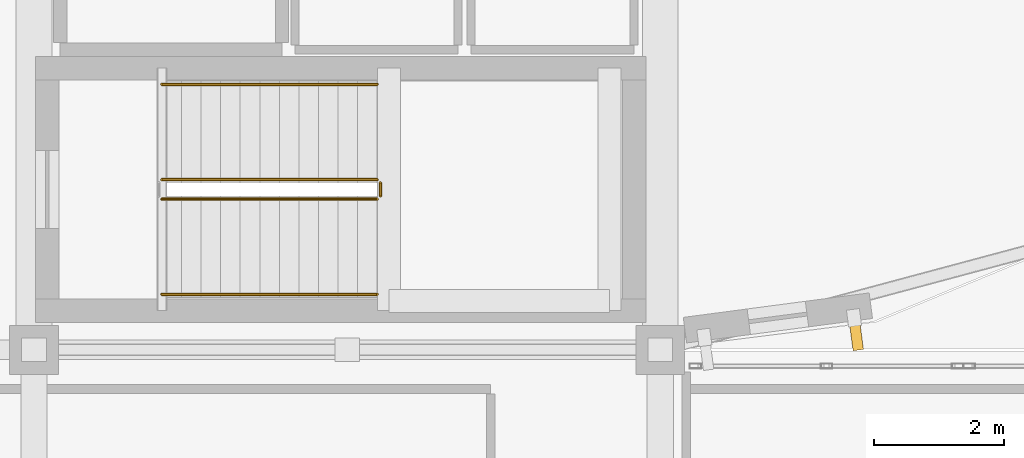
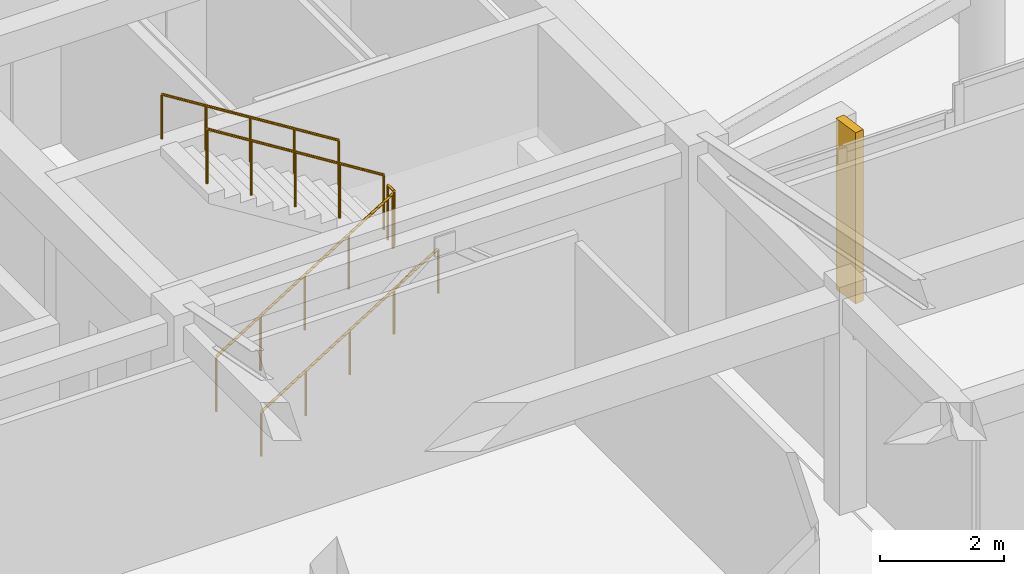
# One storey, part 88 of 91: 5 railings, 1 covering.
"""IFC4 building model written with IfcOpenShell, lengths in metres."""

from ifc_helpers import new_model, si_unit, direction, frame, origin, origin_2d, place, context, subcontext, project, spatial, rectangle, circle, extrude, material, layer, layer_set, type_object, element, save


model = new_model("IFC4")

# Units and contexts
model_context = context("Model", 3, precision=1e-05, world=origin(), true_north=direction((0.0, 1.0)))
body_context = subcontext(model_context, "Body", "Model", "MODEL_VIEW")
ifc_project = project(units=[si_unit("LENGTHUNIT", "METRE"), si_unit("AREAUNIT", "SQUARE_METRE"), si_unit("VOLUMEUNIT", "CUBIC_METRE"), si_unit("PLANEANGLEUNIT", "RADIAN"), si_unit("MASSUNIT", "GRAM", prefix="KILO")], contexts=[model_context])

# Site, building, storey
site_placement = place(None, origin())
site = spatial("IfcSite", under=ifc_project, at=site_placement, CompositionType="ELEMENT")
building_placement = place(site_placement, origin())
building = spatial("IfcBuilding", under=site, at=building_placement, Name="Tarnavel Promenade Courthouse", CompositionType="ELEMENT")
storey_placement = place(building_placement, frame((0.0, 0.0, 9.89990234375)))
storey = spatial("IfcBuildingStorey", under=building, at=storey_placement, Name="L03", CompositionType="ELEMENT", Elevation=9.89990234375)

# Railings
ifc_material_1 = material(Name="Brushed Bronze Tubular Stair Handrail")
railing_type_1 = type_object("IfcRailingType", Name="Brushed Bronze Tubular Stair Handrail (RL-HND-0900)", PredefinedType="HANDRAIL", material=ifc_material_1)
railing_1_placement = place(storey_placement, frame((94.360107421875, 80.050048828125, 0.1875)))
element("IfcRailing", 1, at=railing_1_placement, inside=storey, type_object=railing_type_1, Name="L03 ST-02 stair handrail 1", PredefinedType="HANDRAIL", context=body_context, shape_type="SweptSolid", body=[
    extrude(circle(Radius=0.02392578125, at=origin_2d()), frame((0.0, 0.0, 0.8759765625), z_axis=(0.847984204989, 0.0, 0.530021497762), x_axis=(0.0, 1.0, 0.0)), (0.0, 0.0, 1.0), 3.891357421875),
    extrude(circle(Radius=0.02099609375, at=origin_2d()), origin(), (0.0, 0.0, 1.0), 0.851806640625),
    extrude(circle(Radius=0.02099609375, at=origin_2d()), frame((0.824951171875, 0.0, 0.515625)), (0.0, 0.0, 1.0), 0.851806640625),
    extrude(circle(Radius=0.02099609375, at=origin_2d()), frame((1.64990234375, 0.0, 1.03125)), (0.0, 0.0, 1.0), 0.851806640625),
    extrude(circle(Radius=0.02099609375, at=origin_2d()), frame((2.474853515625, 0.0, 1.546875)), (0.0, 0.0, 1.0), 0.851806640625),
    extrude(circle(Radius=0.02099609375, at=origin_2d()), frame((3.2998046875, 0.0, 2.0625)), (0.0, 0.0, 1.0), 0.851806640625),
])
railing_2_placement = place(storey_placement, frame((97.659912109375, 83.27001953125, 2.4375)))
element("IfcRailing", 2, at=railing_2_placement, inside=storey, type_object=railing_type_1, Name="L03 ST-02 stair handrail 2", PredefinedType="HANDRAIL", context=body_context, shape_type="SweptSolid", body=[
    extrude(circle(Radius=0.02392578125, at=origin_2d()), frame((0.0, 0.0, 0.8759765625), z_axis=(-0.847984204989, 0.0, 0.530021497762), x_axis=(0.0, -1.0, 0.0)), (0.0, 0.0, 1.0), 3.891357421875),
    extrude(circle(Radius=0.02099609375, at=origin_2d()), origin(), (0.0, 0.0, 1.0), 0.851806640625),
    extrude(circle(Radius=0.02099609375, at=origin_2d()), frame((-0.824951171875, 0.0, 0.515625)), (0.0, 0.0, 1.0), 0.851806640625),
    extrude(circle(Radius=0.02099609375, at=origin_2d()), frame((-1.64990234375, 0.0, 1.03125)), (0.0, 0.0, 1.0), 0.851806640625),
    extrude(circle(Radius=0.02099609375, at=origin_2d()), frame((-2.474853515625, 0.0, 1.546875)), (0.0, 0.0, 1.0), 0.851806640625),
    extrude(circle(Radius=0.02099609375, at=origin_2d()), frame((-3.2998046875, 0.0, 2.0625)), (0.0, 0.0, 1.0), 0.851806640625),
])
ifc_material_2 = material(Name="Painted Architectural Steel Core Stair Guardrail", Category="steel")
railing_type_2 = type_object("IfcRailingType", Name="Painted Architectural Steel Core Stair Guardrail (RL-GRD-1100)", PredefinedType="GUARDRAIL", material=ifc_material_2)
railing_3_placement = place(storey_placement, frame((94.360107421875, 81.510009765625, 0.1875)))
element("IfcRailing", 3, at=railing_3_placement, inside=storey, type_object=railing_type_2, Name="L03 ST-02 stair guard 1", PredefinedType="GUARDRAIL", context=body_context, shape_type="SweptSolid", body=[
    extrude(circle(Radius=0.02392578125, at=origin_2d()), frame((0.0, 0.0, 1.076171875), z_axis=(0.847984204989, 0.0, 0.530021497762), x_axis=(0.0, 1.0, 0.0)), (0.0, 0.0, 1.0), 3.891357421875),
    extrude(circle(Radius=0.02099609375, at=origin_2d()), origin(), (0.0, 0.0, 1.0), 1.052001953125),
    extrude(circle(Radius=0.02099609375, at=origin_2d()), frame((0.824951171875, 0.0, 0.515625)), (0.0, 0.0, 1.0), 1.052001953125),
    extrude(circle(Radius=0.02099609375, at=origin_2d()), frame((1.64990234375, 0.0, 1.03125)), (0.0, 0.0, 1.0), 1.052001953125),
    extrude(circle(Radius=0.02099609375, at=origin_2d()), frame((2.474853515625, 0.0, 1.546875)), (0.0, 0.0, 1.0), 1.052001953125),
    extrude(circle(Radius=0.02099609375, at=origin_2d()), frame((3.2998046875, 0.0, 2.0625)), (0.0, 0.0, 1.0), 1.052001953125),
])
railing_4_placement = place(storey_placement, frame((97.7099609375, 81.56005859375, 2.25)))
element("IfcRailing", 4, at=railing_4_placement, inside=storey, type_object=railing_type_2, Name="L03 ST-02 stair guard 2", PredefinedType="GUARDRAIL", context=body_context, shape_type="SweptSolid", body=[
    extrude(circle(Radius=0.02392578125, at=origin_2d()), frame((0.0, 0.0, 1.076171875), z_axis=(0.0, 1.0, 0.0), x_axis=(-1.0, 0.0, 0.0)), (0.0, 0.0, 1.0), 0.199951171875),
    extrude(circle(Radius=0.02099609375, at=origin_2d()), origin(), (0.0, 0.0, 1.0), 1.052001953125),
    extrude(circle(Radius=0.02099609375, at=origin_2d()), frame((0.0, 0.199951171875, 0.0)), (0.0, 0.0, 1.0), 1.052001953125),
])
railing_5_placement = place(storey_placement, frame((97.659912109375, 81.81005859375, 2.4375)))
element("IfcRailing", 5, at=railing_5_placement, inside=storey, type_object=railing_type_2, Name="L03 ST-02 stair guard 3", PredefinedType="GUARDRAIL", context=body_context, shape_type="SweptSolid", body=[
    extrude(circle(Radius=0.02392578125, at=origin_2d()), frame((0.0, 0.0, 1.076171875), z_axis=(-0.847984204989, 0.0, 0.530021497762), x_axis=(0.0, -1.0, 0.0)), (0.0, 0.0, 1.0), 3.891357421875),
    extrude(circle(Radius=0.02099609375, at=origin_2d()), origin(), (0.0, 0.0, 1.0), 1.052001953125),
    extrude(circle(Radius=0.02099609375, at=origin_2d()), frame((-0.824951171875, 0.0, 0.515625)), (0.0, 0.0, 1.0), 1.052001953125),
    extrude(circle(Radius=0.02099609375, at=origin_2d()), frame((-1.64990234375, 0.0, 1.03125)), (0.0, 0.0, 1.0), 1.052001953125),
    extrude(circle(Radius=0.02099609375, at=origin_2d()), frame((-2.474853515625, 0.0, 1.546875)), (0.0, 0.0, 1.0), 1.052001953125),
    extrude(circle(Radius=0.02099609375, at=origin_2d()), frame((-3.2998046875, 0.0, 2.0625)), (0.0, 0.0, 1.0), 1.052001953125),
])

# Covering
ifc_material_3 = material(Name="Patinated Copper-Bronze Fluted Pier Cladding")
ifc_layer = layer(ifc_material_3, 0.52001953125)
ifc_layer_set = layer_set([ifc_layer], Name="Patinated Copper-Bronze Fluted Pier Cladding")
covering_type = type_object("IfcCoveringType", Name="Patinated Copper-Bronze Fluted Pier Cladding COV-PIER-520 (520 mm)", PredefinedType="CLADDING", material=ifc_layer_set)
covering_placement = place(storey_placement, frame((105.001708984375, 79.4541015625, 0.000244140625), z_axis=(0.0, 0.0, 1.0), x_axis=(0.991444861374, 0.13052619222, 0.0)))
element("IfcCovering", 6, at=covering_placement, inside=storey, type_object=covering_type, Name="L03 E Drum Fluted Copper Pier 0082", PredefinedType="CLADDING", context=body_context, shape_type="SweptSolid", body=[
    extrude(rectangle(XDim=0.159912109375, YDim=0.52001953125, at=origin_2d()), origin(), (0.0, 0.0, 1.0), 3.3798828125),
])

save(model, "model.ifc")
